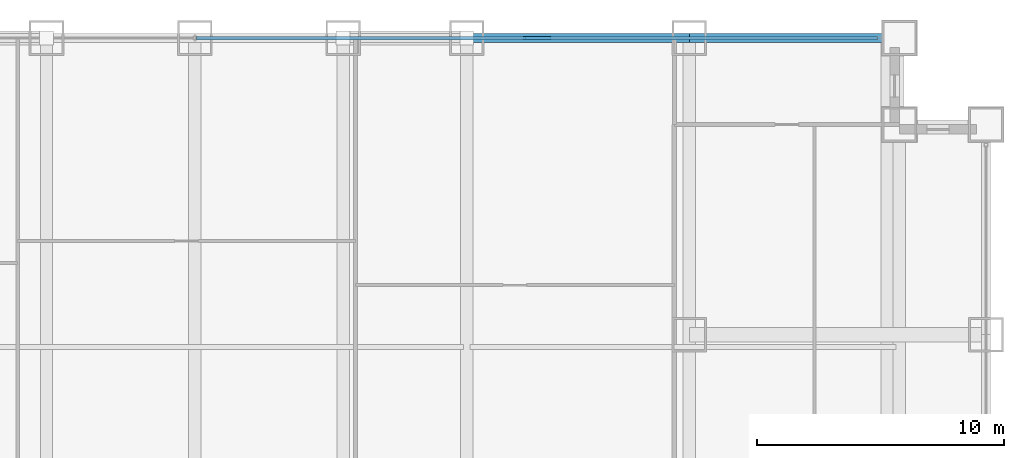
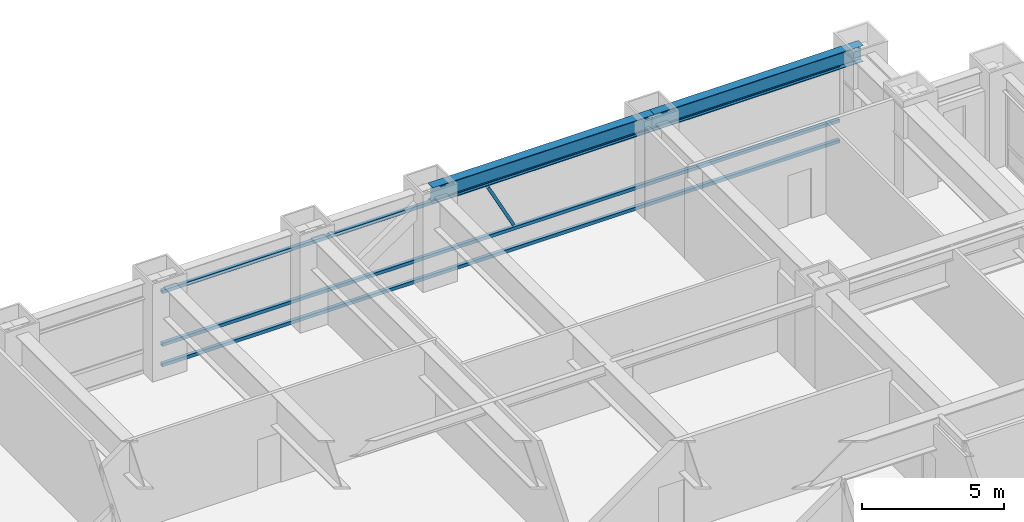
# One storey, part 20 of 29: 4 members, 2 beams, 1 element without a shape of its own.
"""IFC4 building model written with IfcOpenShell, lengths in metres."""

from ifc_helpers import new_model, si_unit, direction, frame, origin, origin_2d, place, context, subcontext, project, spatial, hollow_rectangle, i_section, extrude, source, transform, mapped, material, material_profile, profile_set, type_object, element, aggregate, save


model = new_model("IFC4")

# Units and contexts
model_context = context("Model", 3, precision=1e-05, world=origin(), true_north=direction((0.0, 1.0)))
body_context = subcontext(model_context, "Body", "Model", "MODEL_VIEW")
ifc_project = project(units=[si_unit("LENGTHUNIT", "METRE"), si_unit("AREAUNIT", "SQUARE_METRE"), si_unit("VOLUMEUNIT", "CUBIC_METRE"), si_unit("PLANEANGLEUNIT", "RADIAN"), si_unit("MASSUNIT", "GRAM", prefix="KILO")], contexts=[model_context])

# Site, building, storey
site_placement = place(None, origin())
site = spatial("IfcSite", under=ifc_project, at=site_placement, CompositionType="ELEMENT")
building_placement = place(site_placement, origin())
building = spatial("IfcBuilding", under=site, at=building_placement, Name="Khorayat Bourse Tower", CompositionType="ELEMENT")
storey_placement = place(building_placement, frame((0.0, 0.0, 87.199951171875)))
storey = spatial("IfcBuildingStorey", under=building, at=storey_placement, Name="L19", CompositionType="ELEMENT", Elevation=87.199951171875)

# Beams
ifc_material_1 = material(Name="Steel ASTM A992 Grade 50", Category="steel")
ifc_material_profile_1 = material_profile(ifc_material_1, i_section(OverallWidth=0.35498046875, OverallDepth=0.695068359375, WebThickness=0.015380859375, FlangeThickness=0.02490234375, FilletRadius=0.01806640625, at=origin_2d()), Name="W690X217")
ifc_profile_set_1 = profile_set([ifc_material_profile_1], Name="Steel ASTM A992 Grade 50")
beam_type = type_object("IfcBeamType", Name="BM-SPAN-690", PredefinedType="SPANDREL", material=ifc_profile_set_1)
shared_shape_1 = source(origin(), body_context, "Body", "SweptSolid", [
    extrude(i_section(OverallWidth=0.35498046875, OverallDepth=0.695068359375, WebThickness=0.015380859375, FlangeThickness=0.02490234375, FilletRadius=0.01806640625, at=origin_2d()), origin(), (0.0, 0.0, 1.0), 8.5),
])
beam_1_placement = place(storey_placement, frame((20.0, 32.0, 3.592529296875), z_axis=(1.0, 0.0, 0.0), x_axis=(0.0, 1.0, 0.0)))
element("IfcBeam", 1, at=beam_1_placement, inside=storey, type_object=beam_type, Name="L19 BM-SPAN-690 BM-L19-SPN-044", PredefinedType="SPANDREL", context=body_context, shape_type="MappedRepresentation", body=[
    mapped(shared_shape_1, transform((0.0, 0.0, 0.0), scale=1.0)),
])
shared_shape_2 = source(origin(), body_context, "Body", "SweptSolid", [
    extrude(i_section(OverallWidth=0.35498046875, OverallDepth=0.695068359375, WebThickness=0.015380859375, FlangeThickness=0.02490234375, FilletRadius=0.01806640625, at=origin_2d()), origin(), (0.0, 0.0, 1.0), 9.0),
])
beam_2_placement = place(storey_placement, frame((11.0, 32.0, 3.592529296875), z_axis=(1.0, 0.0, 0.0), x_axis=(0.0, 1.0, 0.0)))
element("IfcBeam", 2, at=beam_2_placement, inside=storey, type_object=beam_type, Name="L19 BM-SPAN-690 BM-L19-SPN-045", PredefinedType="SPANDREL", context=body_context, shape_type="MappedRepresentation", body=[
    mapped(shared_shape_2, transform((0.0, 0.0, 0.0), scale=1.0)),
])

# Curtain wall, members
ifc_material_2 = material(Name="Aluminium EN AW-6063 T6", Category="aluminium")
curtain_wall_type = type_object("IfcCurtainWallType", Name="CW-SYS-02", PredefinedType="NOTDEFINED", material=ifc_material_2)
curtain_wall_placement = place(storey_placement, origin())
curtain_wall = element("IfcCurtainWall", 3, at=curtain_wall_placement, inside=storey, type_object=curtain_wall_type, Name="L19 Curtain Wall CW-L19-N1", PredefinedType="NOTDEFINED")
ifc_material_profile_2 = material_profile(ifc_material_2, hollow_rectangle(XDim=0.1201171875, YDim=0.1201171875, WallThickness=0.0048828125, at=origin_2d()), Name="ALU 120x120x5")
ifc_profile_set_2 = profile_set([ifc_material_profile_2], Name="Aluminium EN AW-6063 T6")
member_type_1 = type_object("IfcMemberType", Name="CWM-DIAG-120", PredefinedType="MULLION", material=ifc_profile_set_2)
shared_shape_3 = source(origin(), body_context, "Body", "SweptSolid", [
    extrude(hollow_rectangle(XDim=0.1201171875, YDim=0.1201171875, WallThickness=0.0048828125, at=origin_2d()), origin(), (0.0, 0.0, 1.0), 2.22607421875),
])
member_1_placement = place(storey_placement, frame((14.3583984375, 32.0, 1.10009765625), z_axis=(-0.465759992596, 0.0, 0.884911085532), x_axis=(0.0, -1.0, 0.0)))
member_1 = element("IfcMember", 4, at=member_1_placement, type_object=member_type_1, Name="CW-L19-N1 Faceted Diagonal Mullion 2", PredefinedType="MULLION", context=body_context, shape_type="MappedRepresentation", body=[
    mapped(shared_shape_3, transform((0.0, 0.0, 0.0), scale=1.0)),
])
ifc_material_profile_3 = material_profile(ifc_material_2, hollow_rectangle(XDim=0.139892578125, YDim=0.139892578125, WallThickness=0.006103515625, at=origin_2d()), Name="ALU 140x140x6")
ifc_profile_set_3 = profile_set([ifc_material_profile_3], Name="Aluminium EN AW-6063 T6")
member_type_2 = type_object("IfcMemberType", Name="CWT-HORZ-140", PredefinedType="USERDEFINED", material=ifc_profile_set_3)
shared_shape_4 = source(origin(), body_context, "Body", "SweptSolid", [
    extrude(hollow_rectangle(XDim=0.139892578125, YDim=0.139892578125, WallThickness=0.006103515625, at=origin_2d()), origin(), (0.0, 0.0, 1.0), 27.5400390625),
])
member_2_placement = place(storey_placement, frame((0.070068359375, 32.0, 0.070068359375), z_axis=(1.0, 0.0, 0.0), x_axis=(0.0, 1.0, 0.0)))
member_2 = element("IfcMember", 5, at=member_2_placement, type_object=member_type_2, Name="CW-L19-N1 Horizontal Transom 2-1", ObjectType="TRANSOM", PredefinedType="USERDEFINED", context=body_context, shape_type="MappedRepresentation", body=[
    mapped(shared_shape_4, transform((0.0, 0.0, 0.0), scale=1.0)),
])
member_3_placement = place(storey_placement, frame((0.070068359375, 32.0, 0.949951171875), z_axis=(1.0, 0.0, 0.0), x_axis=(0.0, 1.0, 0.0)))
member_3 = element("IfcMember", 6, at=member_3_placement, type_object=member_type_2, Name="CW-L19-N1 Horizontal Transom 2-2", ObjectType="TRANSOM", PredefinedType="USERDEFINED", context=body_context, shape_type="MappedRepresentation", body=[
    mapped(shared_shape_4, transform((0.0, 0.0, 0.0), scale=1.0)),
])
member_4_placement = place(storey_placement, frame((0.070068359375, 32.0, 3.219970703125), z_axis=(1.0, 0.0, 0.0), x_axis=(0.0, 1.0, 0.0)))
member_4 = element("IfcMember", 7, at=member_4_placement, type_object=member_type_2, Name="CW-L19-N1 Horizontal Transom 2-3", ObjectType="TRANSOM", PredefinedType="USERDEFINED", context=body_context, shape_type="MappedRepresentation", body=[
    mapped(shared_shape_4, transform((0.0, 0.0, 0.0), scale=1.0)),
])
aggregate(curtain_wall, [member_2, member_3, member_4, member_1])

save(model, "model.ifc")
